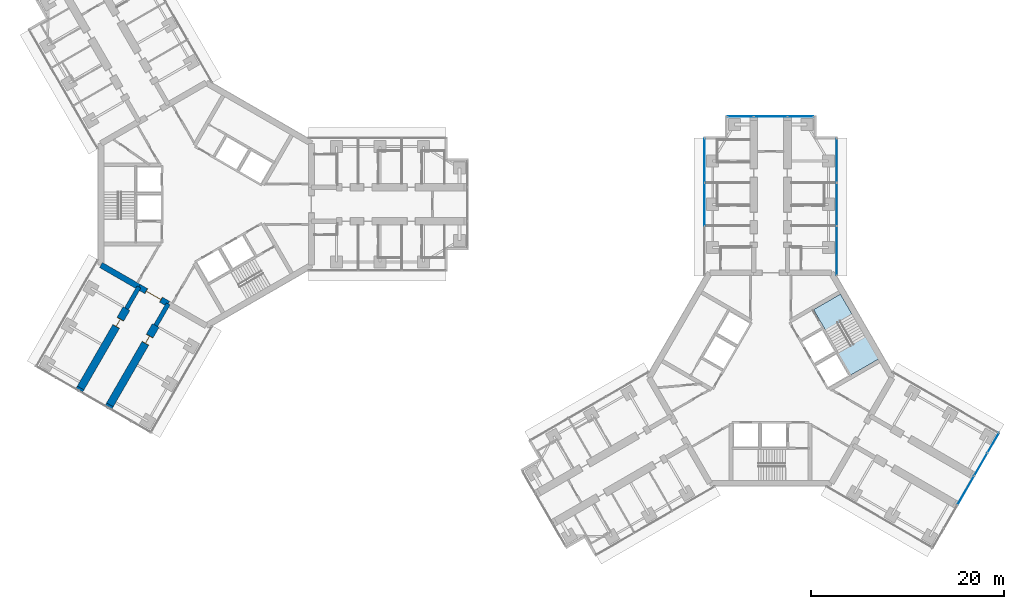
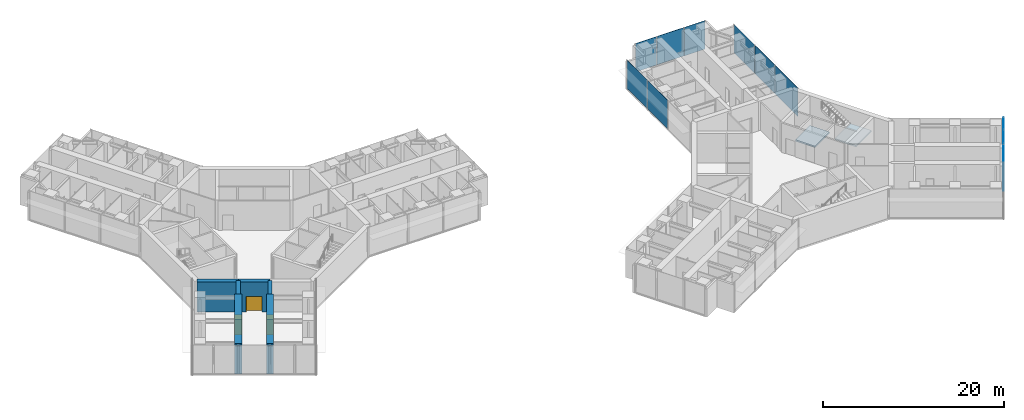
# One storey, part 14 of 23: 11 plates, 8 walls, 3 doors, 2 slabs, 3 openings, 5 elements without a shape of their own.
"""IFC4 building model written with IfcOpenShell, lengths in metres."""

from ifc_helpers import new_model, si_unit, direction, frame, frame_2d, origin, origin_2d, place, context, subcontext, project, spatial, polyline, rectangle, outline, extrude, material, layer, layer_set, type_object, element, fill, aggregate, save


model = new_model("IFC4")

# Units and contexts
model_context = context("Model", 3, precision=1e-05, world=origin(), true_north=direction((0.0, 1.0)))
body_context = subcontext(model_context, "Body", "Model", "MODEL_VIEW")
ifc_project = project(units=[si_unit("LENGTHUNIT", "METRE"), si_unit("AREAUNIT", "SQUARE_METRE"), si_unit("VOLUMEUNIT", "CUBIC_METRE"), si_unit("PLANEANGLEUNIT", "RADIAN"), si_unit("MASSUNIT", "GRAM", prefix="KILO")], contexts=[model_context])

# Site, building, storey
site_placement = place(None, origin())
site = spatial("IfcSite", under=ifc_project, at=site_placement, CompositionType="ELEMENT")
building_placement = place(site_placement, origin())
building = spatial("IfcBuilding", under=site, at=building_placement, Name="Upepo Twin Towers", CompositionType="ELEMENT")
storey_placement = place(building_placement, frame((0.0, 0.0, 157.5)))
storey = spatial("IfcBuildingStorey", under=building, at=storey_placement, Name="L38", CompositionType="ELEMENT", Elevation=157.5)

# Curtain wall, plates
ifc_material_1 = material(Name="Aluminium and fritted glass", Category="aluminium")
curtain_wall_type = type_object("IfcCurtainWallType", Name="Tower curtain wall TW2, fritted glass", PredefinedType="NOTDEFINED", material=ifc_material_1)
curtain_wall_1_placement = place(storey_placement, origin())
curtain_wall_1 = element("IfcCurtainWall", 1, at=curtain_wall_1_placement, inside=storey, type_object=curtain_wall_type, Name="T2 L38 wing A flank L curtain wall", PredefinedType="NOTDEFINED")
ifc_material_2 = material(Name="Ceramic-fritted laminated glass", Category="glass")
ifc_layer_1 = layer(ifc_material_2, 0.031982421875)
ifc_layer_set_1 = layer_set([ifc_layer_1], Name="Fritted glass panel, 45 per cent dot frit, 32 mm double glazed")
plate_type_1 = type_object("IfcPlateType", Name="Fritted glass panel, 45 per cent dot frit, 32 mm double glazed", PredefinedType="CURTAIN_PANEL", material=ifc_layer_set_1)
plate_1_placement = place(storey_placement, frame((51.64990234375, 0.0, 0.14990234375), z_axis=(0.0, 0.0, 1.0), x_axis=(0.0, 1.0, 0.0)))
plate_1 = element("IfcPlate", 2, at=plate_1_placement, type_object=plate_type_1, Name="T2 L38 wing A flank L curtain wall panel 2", PredefinedType="CURTAIN_PANEL", context=body_context, shape_type="SweptSolid", body=[
    extrude(rectangle(XDim=4.43505859375, YDim=0.031982421875, at=origin_2d()), origin(), (0.0, 0.0, 1.0), 3.85009765625),
])
plate_2_placement = place(storey_placement, frame((51.64990234375, 4.53369140625, 0.14990234375), z_axis=(0.0, 0.0, 1.0), x_axis=(0.0, 1.0, 0.0)))
plate_2 = element("IfcPlate", 3, at=plate_2_placement, type_object=plate_type_1, Name="T2 L38 wing A flank L curtain wall panel 3", PredefinedType="CURTAIN_PANEL", context=body_context, shape_type="SweptSolid", body=[
    extrude(rectangle(XDim=4.50244140625, YDim=0.031982421875, at=origin_2d()), origin(), (0.0, 0.0, 1.0), 3.85009765625),
])
aggregate(curtain_wall_1, [plate_1, plate_2])

curtain_wall_2_placement = place(storey_placement, origin())
curtain_wall_2 = element("IfcCurtainWall", 4, at=curtain_wall_2_placement, inside=storey, type_object=curtain_wall_type, Name="T2 L38 wing A flank R curtain wall", PredefinedType="NOTDEFINED")
plate_3_placement = place(storey_placement, frame((65.35009765625, 4.53369140625, 0.14990234375), z_axis=(0.0, 0.0, 1.0), x_axis=(0.0, -1.0, 0.0)))
plate_3 = element("IfcPlate", 5, at=plate_3_placement, type_object=plate_type_1, Name="T2 L38 wing A flank R curtain wall panel 1", PredefinedType="CURTAIN_PANEL", context=body_context, shape_type="SweptSolid", body=[
    extrude(rectangle(XDim=4.50244140625, YDim=0.031982421875, at=origin_2d()), origin(), (0.0, 0.0, 1.0), 3.85009765625),
])
plate_4_placement = place(storey_placement, frame((65.35009765625, 0.0, 0.14990234375), z_axis=(0.0, 0.0, 1.0), x_axis=(0.0, -1.0, 0.0)))
plate_4 = element("IfcPlate", 6, at=plate_4_placement, type_object=plate_type_1, Name="T2 L38 wing A flank R curtain wall panel 2", PredefinedType="CURTAIN_PANEL", context=body_context, shape_type="SweptSolid", body=[
    extrude(rectangle(XDim=4.43505859375, YDim=0.031982421875, at=origin_2d()), origin(), (0.0, 0.0, 1.0), 3.85009765625),
])
plate_5_placement = place(storey_placement, frame((65.35009765625, -4.815185546875, 0.14990234375), z_axis=(0.0, 0.0, 1.0), x_axis=(0.0, -1.0, 0.0)))
plate_5 = element("IfcPlate", 7, at=plate_5_placement, type_object=plate_type_1, Name="T2 L38 wing A flank R curtain wall panel 3", PredefinedType="CURTAIN_PANEL", context=body_context, shape_type="SweptSolid", body=[
    extrude(rectangle(XDim=5.0654296875, YDim=0.031982421875, at=origin_2d()), origin(), (0.0, 0.0, 1.0), 3.85009765625),
])
aggregate(curtain_wall_2, [plate_3, plate_4, plate_5])

# Curtain wall, plate
curtain_wall_3_placement = place(storey_placement, origin())
curtain_wall_3 = element("IfcCurtainWall", 8, at=curtain_wall_3_placement, inside=storey, type_object=curtain_wall_type, Name="T2 L38 wing A nose curtain wall", PredefinedType="NOTDEFINED")
plate_6_placement = place(storey_placement, frame((58.5, 9.10009765625, 0.14990234375), z_axis=(0.0, 0.0, 1.0), x_axis=(-1.0, 0.0, 0.0)))
plate_6 = element("IfcPlate", 9, at=plate_6_placement, type_object=plate_type_1, Name="T2 L38 wing A nose curtain wall panel 2", PredefinedType="CURTAIN_PANEL", context=body_context, shape_type="SweptSolid", body=[
    extrude(rectangle(XDim=3.43505859375, YDim=0.031982421875, at=origin_2d()), origin(), (0.0, 0.0, 1.0), 3.85009765625),
])

# Curtain wall, plates
curtain_wall_4_placement = place(storey_placement, origin())
curtain_wall_4 = element("IfcCurtainWall", 10, at=curtain_wall_4_placement, inside=storey, type_object=curtain_wall_type, Name="T2 L38 wing C nose curtain wall", PredefinedType="NOTDEFINED")
plate_7_placement = place(storey_placement, frame((78.7216796875, -29.675048828125, 0.14990234375), z_axis=(0.0, 0.0, 1.0), x_axis=(0.499999972355, 0.866025419745, 0.0)))
plate_7 = element("IfcPlate", 11, at=plate_7_placement, type_object=plate_type_1, Name="T2 L38 wing C nose curtain wall panel 3", PredefinedType="CURTAIN_PANEL", context=body_context, shape_type="SweptSolid", body=[
    extrude(rectangle(XDim=3.43505859375, YDim=0.031982421875, at=origin_2d()), origin(), (0.0, 0.0, 1.0), 3.85009765625),
])
plate_8_placement = place(storey_placement, frame((80.2841796875, -26.96875, 0.14990234375), z_axis=(0.0, 0.0, 1.0), x_axis=(0.499999972355, 0.866025419745, 0.0)))
plate_8 = element("IfcPlate", 12, at=plate_8_placement, type_object=plate_type_1, Name="T2 L38 wing C nose curtain wall panel 4", PredefinedType="CURTAIN_PANEL", context=body_context, shape_type="SweptSolid", body=[
    extrude(rectangle(XDim=2.68505859375, YDim=0.031982421875, at=origin_2d()), origin(), (0.0, 0.0, 1.0), 3.85009765625),
])

# Plate
ifc_material_3 = material(Name="Clear laminated glass in opening sash", Category="glass")
ifc_layer_2 = layer(ifc_material_3, 0.031982421875)
ifc_layer_set_2 = layer_set([ifc_layer_2], Name="Operable glass panel, 32 mm double glazed")
plate_type_2 = type_object("IfcPlateType", Name="Operable glass panel, 32 mm double glazed", PredefinedType="CURTAIN_PANEL", material=ifc_layer_set_2)
plate_9_placement = place(storey_placement, frame((61.608642578125, 9.10009765625, 0.14990234375), z_axis=(0.0, 0.0, 1.0), x_axis=(-1.0, 0.0, 0.0)))
plate_9 = element("IfcPlate", 13, at=plate_9_placement, type_object=plate_type_2, Name="T2 L38 wing A nose curtain wall panel 1", PredefinedType="CURTAIN_PANEL", context=body_context, shape_type="SweptSolid", body=[
    extrude(rectangle(XDim=2.652587890625, YDim=0.031982421875, at=origin_2d()), origin(), (0.0, 0.0, 1.0), 3.85009765625),
])

plate_10_placement = place(storey_placement, frame((55.391357421875, 9.10009765625, 0.14990234375), z_axis=(0.0, 0.0, 1.0), x_axis=(-1.0, 0.0, 0.0)))
plate_10 = element("IfcPlate", 14, at=plate_10_placement, type_object=plate_type_2, Name="T2 L38 wing A nose curtain wall panel 3", PredefinedType="CURTAIN_PANEL", context=body_context, shape_type="SweptSolid", body=[
    extrude(rectangle(XDim=2.652587890625, YDim=0.031982421875, at=origin_2d()), origin(), (0.0, 0.0, 1.0), 3.85009765625),
])

aggregate(curtain_wall_3, [plate_9, plate_6, plate_10])

plate_11_placement = place(storey_placement, frame((81.576171875, -24.73095703125, 0.14990234375), z_axis=(0.0, 0.0, 1.0), x_axis=(0.499999972355, 0.866025419745, 0.0)))
plate_11 = element("IfcPlate", 15, at=plate_11_placement, type_object=plate_type_2, Name="T2 L38 wing C nose curtain wall panel 5", PredefinedType="CURTAIN_PANEL", context=body_context, shape_type="SweptSolid", body=[
    extrude(rectangle(XDim=2.3525390625, YDim=0.031982421875, at=origin_2d()), origin(), (0.0, 0.0, 1.0), 3.85009765625),
])

aggregate(curtain_wall_4, [plate_7, plate_8, plate_11])

# Stair, slabs
ifc_material_4 = material(Name="Concrete C40/50", Category="concrete")
stair_type = type_object("IfcStairType", Name="Core stair, two flights", PredefinedType="HALF_TURN_STAIR", material=ifc_material_4)
stair_placement = place(storey_placement, origin())
stair = element("IfcStair", 16, at=stair_placement, inside=storey, type_object=stair_type, Name="T2 stair S2 L38", PredefinedType="HALF_TURN_STAIR")
ifc_material_5 = material(Name="Concrete C40/50", Category="concrete")
ifc_layer_3 = layer(ifc_material_5, 0.199951171875)
ifc_layer_set_3 = layer_set([ifc_layer_3], Name="Concrete C40/50")
slab_type = type_object("IfcSlabType", Name="Stair landing 200 RC", PredefinedType="LANDING", material=ifc_layer_set_3)
slab_1_placement = place(storey_placement, frame((0.0, 0.0, -0.199951171875)))
slab_1 = element("IfcSlab", 17, at=slab_1_placement, type_object=slab_type, Name="Stair S2 landing 1", PredefinedType="LANDING", context=body_context, shape_type="SweptSolid", body=[
    extrude(outline(polyline([(64.198486328125, -13.0703125), (66.97705078125, -11.466064453125), (65.737060546875, -9.318359375), (62.95849609375, -10.922607421875), (64.198486328125, -13.0703125)])), origin(), (0.0, 0.0, 1.0), 0.199951171875),
])
slab_2_placement = place(storey_placement, frame((0.0, 0.0, 1.800048828125)))
slab_2 = element("IfcSlab", 18, at=slab_2_placement, type_object=slab_type, Name="Stair S2 landing 2", PredefinedType="LANDING", context=body_context, shape_type="SweptSolid", body=[
    extrude(outline(polyline([(66.77197265625, -17.7275390625), (69.7236328125, -16.0234375), (68.36376953125, -13.667724609375), (65.411865234375, -15.371826171875), (66.77197265625, -17.7275390625)])), origin(), (0.0, 0.0, 1.0), 0.199951171875),
])
aggregate(stair, [slab_1, slab_2])

# Walls
ifc_material_6 = material(Name="Dense concrete blockwork", Category="masonry")
ifc_layer_4 = layer(ifc_material_6, 0.800048828125)
ifc_layer_set_4 = layer_set([ifc_layer_4], Name="Buttress closer 800, blockwork with fire-stopping to the curtain wall")
wall_type_1 = type_object("IfcWallType", Name="Buttress closer 800, blockwork with fire-stopping to the curtain wall", PredefinedType="PARTITIONING", material=ifc_layer_set_4)
for number, where, z_axis, x_axis, name in (
    (19, (-9.984375, -20.793701171875, 0.0), (0.0, 0.0, 1.0), (-0.500342721131, -0.865827443207, 0.0), "T1 L38 wing C buttress closer L"),
    (20, (-13.015625, -19.043701171875, 0.0), (0.0, 0.0, 1.0), (-0.500342721131, -0.865827443207, 0.0), "T1 L38 wing C buttress closer R"),
):
    element("IfcWall", number, at=place(storey_placement, frame(where, z_axis=z_axis, x_axis=x_axis)), inside=storey, type_object=wall_type_1, Name=name, PredefinedType="PARTITIONING", context=body_context, shape_type="SweptSolid", body=[
        extrude(rectangle(XDim=0.249755859375, YDim=0.800048828125, at=frame_2d((0.125, 0.0))), origin(), (0.0, 0.0, 1.0), 3.800048828125),
    ])
ifc_material_7 = material(Name="Concrete C60/75", Category="concrete")
ifc_layer_5 = layer(ifc_material_7, 0.449951171875)
ifc_layer_set_5 = layer_set([ifc_layer_5], Name="Concrete C60/75")
wall_type_2 = type_object("IfcWallType", Name="Buttress wall 450 RC", PredefinedType="SHEAR", material=ifc_layer_set_5)
for number, where, z_axis, x_axis, name in (
    (21, (-3.938720703125, -10.32177734375, 0.0), (0.0, 0.0, 1.0), (-0.499918158782, -0.866072649678, 0.0), "T1 wing C buttress wall L"),
    (22, (-6.9697265625, -8.57177734375, 0.0), (0.0, 0.0, 1.0), (-0.499988811324, -0.866031863473, 0.0), "T1 wing C buttress wall R"),
):
    element("IfcWall", number, at=place(storey_placement, frame(where, z_axis=z_axis, x_axis=x_axis)), inside=storey, type_object=wall_type_2, Name=name, PredefinedType="SHEAR", context=body_context, shape_type="SweptSolid", body=[
        extrude(rectangle(XDim=2.591796875, YDim=0.449951171875, at=frame_2d((1.2958984375, 0.0))), origin(), (0.0, 0.0, 1.0), 4.0),
    ])

# Wall, opening, door
ifc_material_8 = material(Name="Concrete C60/75", Category="concrete")
ifc_layer_6 = layer(ifc_material_8, 0.800048828125)
ifc_layer_set_6 = layer_set([ifc_layer_6], Name="Concrete C60/75")
wall_type_3 = type_object("IfcWallType", Name="Buttress wall 800 RC", PredefinedType="SHEAR", material=ifc_layer_set_6)
wall_1_placement = place(storey_placement, frame((-5.234375, -12.56640625, 0.0), z_axis=(0.0, 0.0, 1.0), x_axis=(-0.499997557548, -0.86602681393, 0.0)))
wall_1 = element("IfcWall", 23, at=wall_1_placement, inside=storey, type_object=wall_type_3, Name="T1 wing C buttress wall L part 2", PredefinedType="SHEAR", context=body_context, shape_type="SweptSolid", body=[
    extrude(rectangle(XDim=9.5, YDim=0.800048828125, at=frame_2d((4.75, 0.0))), origin(), (0.0, 0.0, 1.0), 4.0),
])
opening_1_placement = place(wall_1_placement, frame((1.25, 0.0, 0.0)))
opening_1 = element("IfcOpeningElement", 24, at=opening_1_placement, cuts=wall_1, Name="Opening D14", PredefinedType="OPENING", context=body_context, shape_type="SweptSolid", body=[
    extrude(rectangle(XDim=0.89990234375, YDim=2.10009765625, at=frame_2d((0.449951171875, 1.050048828125))), frame((0.0, 0.409912109375, 0.0), z_axis=(0.0, -1.0, 0.0), x_axis=(1.0, 0.0, 0.0)), (0.0, 0.0, 1.0), 0.820068359375),
])
ifc_material_9 = material(Name="Timber doorset", Category="wood")
door_type_1 = type_object("IfcDoorType", Name="Office door 900 FD30", OperationType="SINGLE_SWING_LEFT", PredefinedType="DOOR", material=ifc_material_9)
door_1_placement = place(opening_1_placement, origin())
door_1 = element("IfcDoor", 25, at=door_1_placement, inside=storey, type_object=door_type_1, Name="T1 L38 postgraduate office door", OperationType="SINGLE_SWING_LEFT", OverallHeight=2.10009765625, OverallWidth=0.89990234375, PredefinedType="DOOR", context=body_context, shape_type="SweptSolid", body=[
    extrude(rectangle(XDim=0.81990234375, YDim=2.06009765625, at=frame_2d((0.449951171875, 1.030029296875))), frame((0.0, 0.02490234375, 0.0), z_axis=(0.0, -1.0, 0.0), x_axis=(1.0, 0.0, 0.0)), (0.0, 0.0, 1.0), 0.050048828125),
    extrude(rectangle(XDim=0.04, YDim=2.10009765625, at=frame_2d((0.02001953125, 1.050048828125))), frame((0.0, 0.39990234375, 0.0), z_axis=(0.0, -1.0, 0.0), x_axis=(1.0, 0.0, 0.0)), (0.0, 0.0, 1.0), 0.799560546875),
    extrude(rectangle(XDim=0.04, YDim=2.10009765625, at=frame_2d((0.8798828125, 1.050048828125))), frame((0.0, 0.39990234375, 0.0), z_axis=(0.0, -1.0, 0.0), x_axis=(1.0, 0.0, 0.0)), (0.0, 0.0, 1.0), 0.799560546875),
    extrude(rectangle(XDim=0.81990234375, YDim=0.04, at=frame_2d((0.449951171875, 2.080078125))), frame((0.0, 0.39990234375, 0.0), z_axis=(0.0, -1.0, 0.0), x_axis=(1.0, 0.0, 0.0)), (0.0, 0.0, 1.0), 0.799560546875),
])
fill(opening_1, door_1)

wall_2_placement = place(storey_placement, frame((-8.265625, -10.81640625, 0.0), z_axis=(0.0, 0.0, 1.0), x_axis=(-0.499997557548, -0.86602681393, 0.0)))
wall_2 = element("IfcWall", 26, at=wall_2_placement, inside=storey, type_object=wall_type_3, Name="T1 wing C buttress wall R part 2", PredefinedType="SHEAR", context=body_context, shape_type="SweptSolid", body=[
    extrude(rectangle(XDim=9.5, YDim=0.800048828125, at=frame_2d((4.75, 0.0))), origin(), (0.0, 0.0, 1.0), 4.0),
])
opening_2_placement = place(wall_2_placement, frame((1.25, 0.0, 0.0)))
opening_2 = element("IfcOpeningElement", 27, at=opening_2_placement, cuts=wall_2, Name="Opening D14", PredefinedType="OPENING", context=body_context, shape_type="SweptSolid", body=[
    extrude(rectangle(XDim=0.89990234375, YDim=2.10009765625, at=frame_2d((0.449951171875, 1.050048828125))), frame((0.0, 0.409912109375, 0.0), z_axis=(0.0, -1.0, 0.0), x_axis=(1.0, 0.0, 0.0)), (0.0, 0.0, 1.0), 0.820068359375),
])
door_2_placement = place(opening_2_placement, origin())
door_2 = element("IfcDoor", 28, at=door_2_placement, inside=storey, type_object=door_type_1, Name="T1 L38 postgraduate office door", OperationType="SINGLE_SWING_LEFT", OverallHeight=2.10009765625, OverallWidth=0.89990234375, PredefinedType="DOOR", context=body_context, shape_type="SweptSolid", body=[
    extrude(rectangle(XDim=0.81990234375, YDim=2.06009765625, at=frame_2d((0.449951171875, 1.030029296875))), frame((0.0, 0.02490234375, 0.0), z_axis=(0.0, -1.0, 0.0), x_axis=(1.0, 0.0, 0.0)), (0.0, 0.0, 1.0), 0.050048828125),
    extrude(rectangle(XDim=0.04, YDim=2.10009765625, at=frame_2d((0.02001953125, 1.050048828125))), frame((0.0, 0.39990234375, 0.0), z_axis=(0.0, -1.0, 0.0), x_axis=(1.0, 0.0, 0.0)), (0.0, 0.0, 1.0), 0.799560546875),
    extrude(rectangle(XDim=0.04, YDim=2.10009765625, at=frame_2d((0.8798828125, 1.050048828125))), frame((0.0, 0.39990234375, 0.0), z_axis=(0.0, -1.0, 0.0), x_axis=(1.0, 0.0, 0.0)), (0.0, 0.0, 1.0), 0.799560546875),
    extrude(rectangle(XDim=0.81990234375, YDim=0.04, at=frame_2d((0.449951171875, 2.080078125))), frame((0.0, 0.39990234375, 0.0), z_axis=(0.0, -1.0, 0.0), x_axis=(1.0, 0.0, 0.0)), (0.0, 0.0, 1.0), 0.799560546875),
])
fill(opening_2, door_2)

# Wall
ifc_material_10 = material(Name="Concrete C60/75", Category="concrete")
ifc_layer_7 = layer(ifc_material_10, 0.60009765625)
ifc_layer_set_7 = layer_set([ifc_layer_7], Name="Concrete C60/75")
wall_type_4 = type_object("IfcWallType", Name="Core wall 600 RC", PredefinedType="SHEAR", material=ifc_layer_set_7)
wall_3_placement = place(storey_placement, frame((-10.908447265625, -6.2978515625, 0.0), z_axis=(0.0, 0.0, 1.0), x_axis=(0.866034513004, -0.499984222037, 0.0)))
element("IfcWall", 29, at=wall_3_placement, inside=storey, type_object=wall_type_4, Name="T1 core wall 240 R", PredefinedType="SHEAR", context=body_context, shape_type="SweptSolid", body=[
    extrude(rectangle(XDim=4.548095703125, YDim=0.60009765625, at=frame_2d((2.27392578125, 0.0))), origin(), (0.0, 0.0, 1.0), 4.0),
])

# Wall, opening, door
wall_4_placement = place(storey_placement, frame((-6.9697265625, -8.57177734375, 0.0), z_axis=(0.0, 0.0, 1.0), x_axis=(0.866019471182, -0.500010275428, 0.0)))
wall_4 = element("IfcWall", 30, at=wall_4_placement, inside=storey, type_object=wall_type_4, Name="T1 core wall 240", PredefinedType="SHEAR", context=body_context, shape_type="SweptSolid", body=[
    extrude(rectangle(XDim=3.5, YDim=0.60009765625, at=frame_2d((1.75, 0.0))), origin(), (0.0, 0.0, 1.0), 4.0),
])
opening_3_placement = place(wall_4_placement, frame((0.85009765625, 0.0, 0.0)))
opening_3 = element("IfcOpeningElement", 31, at=opening_3_placement, cuts=wall_4, Name="Opening D2", PredefinedType="OPENING", context=body_context, shape_type="SweptSolid", body=[
    extrude(rectangle(XDim=1.800048828125, YDim=2.10009765625, at=frame_2d((0.89990234375, 1.050048828125))), frame((0.0, 0.31005859375, 0.0), z_axis=(0.0, -1.0, 0.0), x_axis=(1.0, 0.0, 0.0)), (0.0, 0.0, 1.0), 0.6201171875),
])
ifc_material_11 = material(Name="Timber doorset", Category="wood")
door_type_2 = type_object("IfcDoorType", Name="Corridor double door 1800 FD60", OperationType="DOUBLE_DOOR_DOUBLE_SWING", PredefinedType="DOOR", material=ifc_material_11)
door_3_placement = place(opening_3_placement, origin())
door_3 = element("IfcDoor", 32, at=door_3_placement, inside=storey, type_object=door_type_2, Name="T1 L38 wing C corridor door", OperationType="DOUBLE_DOOR_DOUBLE_SWING", OverallHeight=2.10009765625, OverallWidth=1.800048828125, PredefinedType="DOOR", context=body_context, shape_type="SweptSolid", body=[
    extrude(rectangle(XDim=1.720048828125, YDim=2.06009765625, at=frame_2d((0.89990234375, 1.030029296875))), frame((0.0, 0.02490234375, 0.0), z_axis=(0.0, -1.0, 0.0), x_axis=(1.0, 0.0, 0.0)), (0.0, 0.0, 1.0), 0.050048828125),
    extrude(rectangle(XDim=0.04, YDim=2.10009765625, at=frame_2d((0.02001953125, 1.050048828125))), frame((0.0, 0.2998046875, 0.0), z_axis=(0.0, -1.0, 0.0), x_axis=(1.0, 0.0, 0.0)), (0.0, 0.0, 1.0), 0.599609375),
    extrude(rectangle(XDim=0.04, YDim=2.10009765625, at=frame_2d((1.780029296875, 1.050048828125))), frame((0.0, 0.2998046875, 0.0), z_axis=(0.0, -1.0, 0.0), x_axis=(1.0, 0.0, 0.0)), (0.0, 0.0, 1.0), 0.599609375),
    extrude(rectangle(XDim=1.720048828125, YDim=0.04, at=frame_2d((0.89990234375, 2.080078125))), frame((0.0, 0.2998046875, 0.0), z_axis=(0.0, -1.0, 0.0), x_axis=(1.0, 0.0, 0.0)), (0.0, 0.0, 1.0), 0.599609375),
])
fill(opening_3, door_3)

save(model, "model.ifc")
